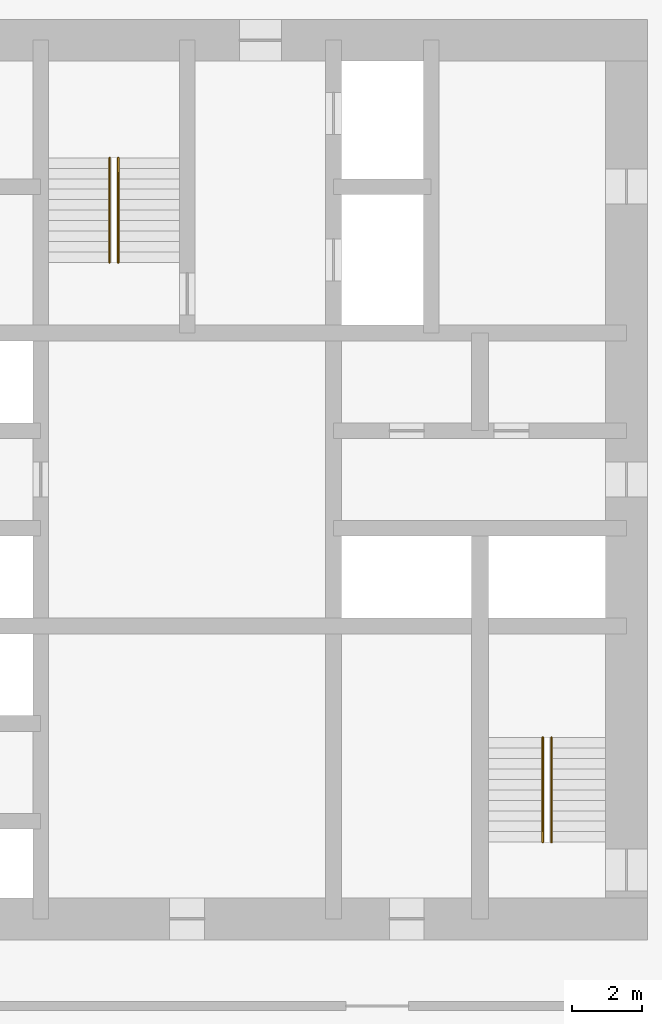
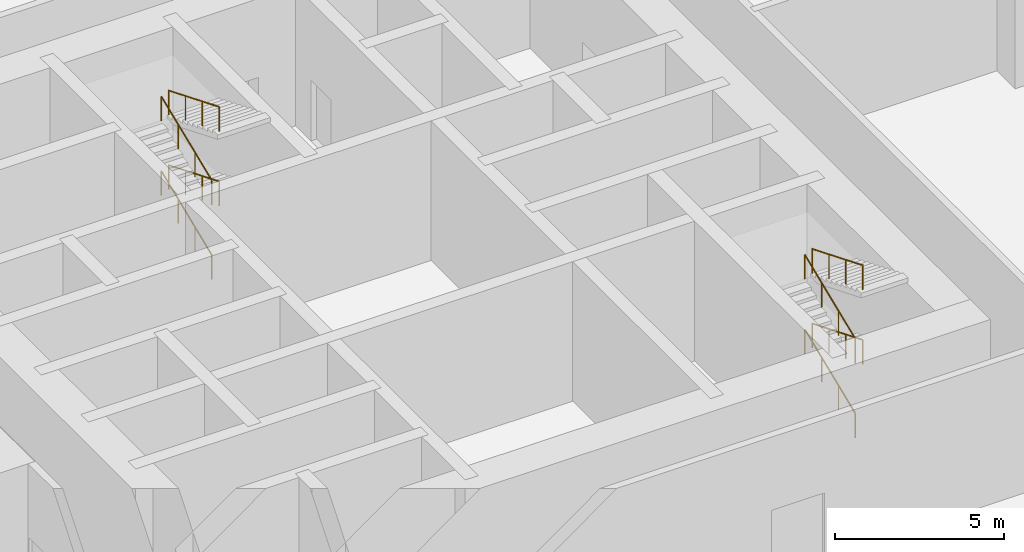
# One storey, part 11 of 11: 8 railings.
"""IFC4 building model written with IfcOpenShell, lengths in metres."""

from ifc_helpers import new_model, si_unit, direction, frame, origin, origin_2d, place, context, subcontext, project, spatial, circle, extrude, material, type_object, element, save


model = new_model("IFC4")

# Units and contexts
model_context = context("Model", 3, precision=1e-05, world=origin(), true_north=direction((0.0, 1.0)))
body_context = subcontext(model_context, "Body", "Model", "MODEL_VIEW")
ifc_project = project(units=[si_unit("LENGTHUNIT", "METRE"), si_unit("AREAUNIT", "SQUARE_METRE"), si_unit("VOLUMEUNIT", "CUBIC_METRE"), si_unit("PLANEANGLEUNIT", "RADIAN"), si_unit("MASSUNIT", "GRAM", prefix="KILO")], contexts=[model_context])

# Site, building, storey
site_placement = place(None, origin())
site = spatial("IfcSite", under=ifc_project, at=site_placement, CompositionType="ELEMENT")
building_placement = place(site_placement, origin())
building = spatial("IfcBuilding", under=site, at=building_placement, Name="Dunama Terrace Hotel", CompositionType="ELEMENT")
storey_placement = place(building_placement, frame((0.0, 0.0, 88.199951171875)))
storey = spatial("IfcBuildingStorey", under=building, at=storey_placement, Name="L22", CompositionType="ELEMENT", Elevation=88.199951171875)

# Railings
ifc_material = material(Name="Stainless steel handrail", Category="steel")
railing_type = type_object("IfcRailingType", Name="Stair handrail 900", PredefinedType="HANDRAIL", material=ifc_material)
railing_1_placement = place(storey_placement, frame((27.175048828125, 35.625, 0.122802734375)))
element("IfcRailing", 1, at=railing_1_placement, inside=storey, type_object=railing_type, Name="Handrail ST1 L22", PredefinedType="HANDRAIL", context=body_context, shape_type="SweptSolid", body=[
    extrude(circle(Radius=0.02392578125, at=origin_2d()), frame((0.0, 0.0, 0.8759765625), z_axis=(0.0, 0.92554455658, 0.37863871142), x_axis=(-1.0, 0.0, 0.0)), (0.0, 0.0, 1.0), 3.241455078125),
    extrude(circle(Radius=0.02099609375, at=origin_2d()), origin(), (0.0, 0.0, 1.0), 0.851806640625),
    extrude(circle(Radius=0.02099609375, at=origin_2d()), frame((0.0, 1.0, 0.4091796875)), (0.0, 0.0, 1.0), 0.851806640625),
    extrude(circle(Radius=0.02099609375, at=origin_2d()), frame((0.0, 2.0, 0.818115234375)), (0.0, 0.0, 1.0), 0.851806640625),
    extrude(circle(Radius=0.02099609375, at=origin_2d()), frame((0.0, 3.0, 1.227294921875)), (0.0, 0.0, 1.0), 0.851806640625),
])
railing_2_placement = place(storey_placement, frame((27.425048828125, 38.625, 1.47265625)))
element("IfcRailing", 2, at=railing_2_placement, inside=storey, type_object=railing_type, Name="Handrail ST1 L22", PredefinedType="HANDRAIL", context=body_context, shape_type="SweptSolid", body=[
    extrude(circle(Radius=0.02392578125, at=origin_2d()), frame((0.0, 0.0, 0.8759765625), z_axis=(0.0, -0.92554455658, 0.37863871142), x_axis=(1.0, 0.0, 0.0)), (0.0, 0.0, 1.0), 3.241455078125),
    extrude(circle(Radius=0.02099609375, at=origin_2d()), origin(), (0.0, 0.0, 1.0), 0.851806640625),
    extrude(circle(Radius=0.02099609375, at=origin_2d()), frame((0.0, -1.0, 0.4091796875)), (0.0, 0.0, 1.0), 0.851806640625),
    extrude(circle(Radius=0.02099609375, at=origin_2d()), frame((0.0, -2.0, 0.818115234375)), (0.0, 0.0, 1.0), 0.851806640625),
    extrude(circle(Radius=0.02099609375, at=origin_2d()), frame((0.0, -3.0, 1.227294921875)), (0.0, 0.0, 1.0), 0.851806640625),
])
railing_3_placement = place(storey_placement, frame((27.175048828125, 35.625, 2.82275390625)))
element("IfcRailing", 3, at=railing_3_placement, inside=storey, type_object=railing_type, Name="Handrail ST1 L22", PredefinedType="HANDRAIL", context=body_context, shape_type="SweptSolid", body=[
    extrude(circle(Radius=0.02392578125, at=origin_2d()), frame((0.0, 0.0, 0.8759765625), z_axis=(0.0, 0.92554455658, 0.37863871142), x_axis=(-1.0, 0.0, 0.0)), (0.0, 0.0, 1.0), 3.241455078125),
    extrude(circle(Radius=0.02099609375, at=origin_2d()), origin(), (0.0, 0.0, 1.0), 0.851806640625),
    extrude(circle(Radius=0.02099609375, at=origin_2d()), frame((0.0, 1.0, 0.4091796875)), (0.0, 0.0, 1.0), 0.851806640625),
    extrude(circle(Radius=0.02099609375, at=origin_2d()), frame((0.0, 2.0, 0.818115234375)), (0.0, 0.0, 1.0), 0.851806640625),
    extrude(circle(Radius=0.02099609375, at=origin_2d()), frame((0.0, 3.0, 1.227294921875)), (0.0, 0.0, 1.0), 0.851806640625),
])
railing_4_placement = place(storey_placement, frame((27.425048828125, 38.625, 4.1728515625)))
element("IfcRailing", 4, at=railing_4_placement, inside=storey, type_object=railing_type, Name="Handrail ST1 L22", PredefinedType="HANDRAIL", context=body_context, shape_type="SweptSolid", body=[
    extrude(circle(Radius=0.02392578125, at=origin_2d()), frame((0.0, 0.0, 0.8759765625), z_axis=(0.0, -0.92554455658, 0.37863871142), x_axis=(1.0, 0.0, 0.0)), (0.0, 0.0, 1.0), 3.241455078125),
    extrude(circle(Radius=0.02099609375, at=origin_2d()), origin(), (0.0, 0.0, 1.0), 0.851806640625),
    extrude(circle(Radius=0.02099609375, at=origin_2d()), frame((0.0, -1.0, 0.4091796875)), (0.0, 0.0, 1.0), 0.851806640625),
    extrude(circle(Radius=0.02099609375, at=origin_2d()), frame((0.0, -2.0, 0.818115234375)), (0.0, 0.0, 1.0), 0.851806640625),
    extrude(circle(Radius=0.02099609375, at=origin_2d()), frame((0.0, -3.0, 1.227294921875)), (0.0, 0.0, 1.0), 0.851806640625),
])
railing_5_placement = place(storey_placement, frame((39.60009765625, 19.0, 0.122802734375)))
element("IfcRailing", 5, at=railing_5_placement, inside=storey, type_object=railing_type, Name="Handrail ST2 L22", PredefinedType="HANDRAIL", context=body_context, shape_type="SweptSolid", body=[
    extrude(circle(Radius=0.02392578125, at=origin_2d()), frame((0.0, 0.0, 0.8759765625), z_axis=(0.0, 0.92554455658, 0.37863871142), x_axis=(-1.0, 0.0, 0.0)), (0.0, 0.0, 1.0), 3.241455078125),
    extrude(circle(Radius=0.02099609375, at=origin_2d()), origin(), (0.0, 0.0, 1.0), 0.851806640625),
    extrude(circle(Radius=0.02099609375, at=origin_2d()), frame((0.0, 1.0, 0.4091796875)), (0.0, 0.0, 1.0), 0.851806640625),
    extrude(circle(Radius=0.02099609375, at=origin_2d()), frame((0.0, 2.0, 0.818115234375)), (0.0, 0.0, 1.0), 0.851806640625),
    extrude(circle(Radius=0.02099609375, at=origin_2d()), frame((0.0, 3.0, 1.227294921875)), (0.0, 0.0, 1.0), 0.851806640625),
])
railing_6_placement = place(storey_placement, frame((39.85009765625, 22.0, 1.47265625)))
element("IfcRailing", 6, at=railing_6_placement, inside=storey, type_object=railing_type, Name="Handrail ST2 L22", PredefinedType="HANDRAIL", context=body_context, shape_type="SweptSolid", body=[
    extrude(circle(Radius=0.02392578125, at=origin_2d()), frame((0.0, 0.0, 0.8759765625), z_axis=(0.0, -0.92554455658, 0.37863871142), x_axis=(1.0, 0.0, 0.0)), (0.0, 0.0, 1.0), 3.241455078125),
    extrude(circle(Radius=0.02099609375, at=origin_2d()), origin(), (0.0, 0.0, 1.0), 0.851806640625),
    extrude(circle(Radius=0.02099609375, at=origin_2d()), frame((0.0, -1.0, 0.4091796875)), (0.0, 0.0, 1.0), 0.851806640625),
    extrude(circle(Radius=0.02099609375, at=origin_2d()), frame((0.0, -2.0, 0.818115234375)), (0.0, 0.0, 1.0), 0.851806640625),
    extrude(circle(Radius=0.02099609375, at=origin_2d()), frame((0.0, -3.0, 1.227294921875)), (0.0, 0.0, 1.0), 0.851806640625),
])
railing_7_placement = place(storey_placement, frame((39.60009765625, 19.0, 2.82275390625)))
element("IfcRailing", 7, at=railing_7_placement, inside=storey, type_object=railing_type, Name="Handrail ST2 L22", PredefinedType="HANDRAIL", context=body_context, shape_type="SweptSolid", body=[
    extrude(circle(Radius=0.02392578125, at=origin_2d()), frame((0.0, 0.0, 0.8759765625), z_axis=(0.0, 0.92554455658, 0.37863871142), x_axis=(-1.0, 0.0, 0.0)), (0.0, 0.0, 1.0), 3.241455078125),
    extrude(circle(Radius=0.02099609375, at=origin_2d()), origin(), (0.0, 0.0, 1.0), 0.851806640625),
    extrude(circle(Radius=0.02099609375, at=origin_2d()), frame((0.0, 1.0, 0.4091796875)), (0.0, 0.0, 1.0), 0.851806640625),
    extrude(circle(Radius=0.02099609375, at=origin_2d()), frame((0.0, 2.0, 0.818115234375)), (0.0, 0.0, 1.0), 0.851806640625),
    extrude(circle(Radius=0.02099609375, at=origin_2d()), frame((0.0, 3.0, 1.227294921875)), (0.0, 0.0, 1.0), 0.851806640625),
])
railing_8_placement = place(storey_placement, frame((39.85009765625, 22.0, 4.1728515625)))
element("IfcRailing", 8, at=railing_8_placement, inside=storey, type_object=railing_type, Name="Handrail ST2 L22", PredefinedType="HANDRAIL", context=body_context, shape_type="SweptSolid", body=[
    extrude(circle(Radius=0.02392578125, at=origin_2d()), frame((0.0, 0.0, 0.8759765625), z_axis=(0.0, -0.92554455658, 0.37863871142), x_axis=(1.0, 0.0, 0.0)), (0.0, 0.0, 1.0), 3.241455078125),
    extrude(circle(Radius=0.02099609375, at=origin_2d()), origin(), (0.0, 0.0, 1.0), 0.851806640625),
    extrude(circle(Radius=0.02099609375, at=origin_2d()), frame((0.0, -1.0, 0.4091796875)), (0.0, 0.0, 1.0), 0.851806640625),
    extrude(circle(Radius=0.02099609375, at=origin_2d()), frame((0.0, -2.0, 0.818115234375)), (0.0, 0.0, 1.0), 0.851806640625),
    extrude(circle(Radius=0.02099609375, at=origin_2d()), frame((0.0, -3.0, 1.227294921875)), (0.0, 0.0, 1.0), 0.851806640625),
])

save(model, "model.ifc")
